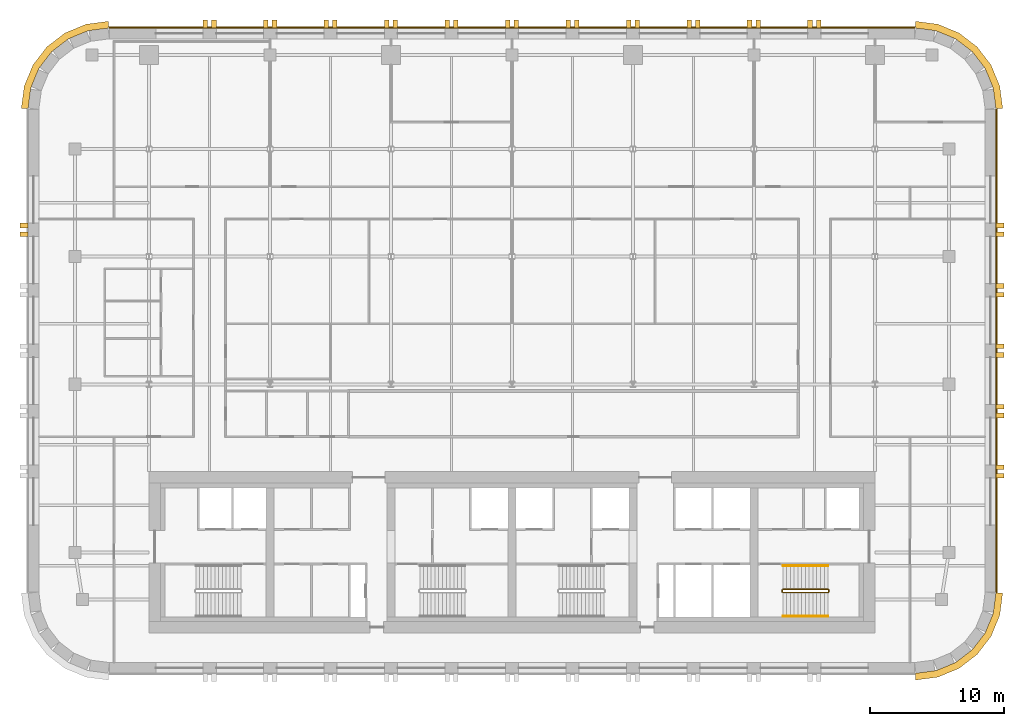
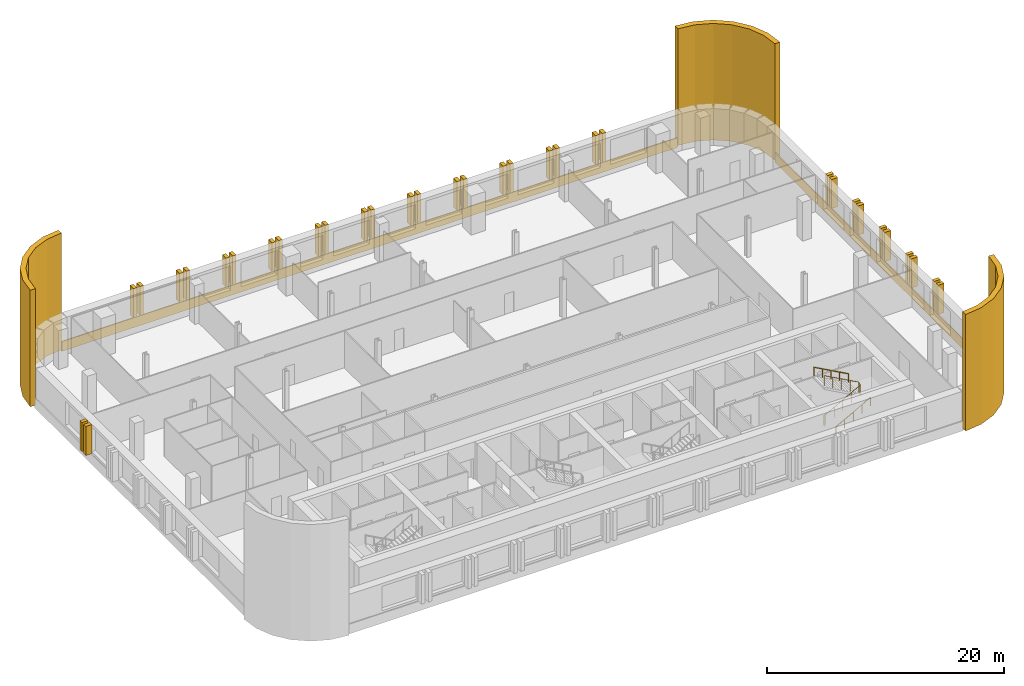
# One storey, part 9 of 9: 39 coverings, 3 railings.
"""IFC4 building model written with IfcOpenShell, lengths in metres."""

from ifc_helpers import new_model, si_unit, direction, frame, origin, origin_2d, place, context, subcontext, project, spatial, polyline, circle, outline, extrude, material, layer, layer_set, type_object, element, save


model = new_model("IFC4")

# Units and contexts
model_context = context("Model", 3, precision=1e-05, world=origin(), true_north=direction((0.0, 1.0)))
body_context = subcontext(model_context, "Body", "Model", "MODEL_VIEW")
ifc_project = project(units=[si_unit("LENGTHUNIT", "METRE"), si_unit("AREAUNIT", "SQUARE_METRE"), si_unit("VOLUMEUNIT", "CUBIC_METRE"), si_unit("PLANEANGLEUNIT", "RADIAN"), si_unit("MASSUNIT", "GRAM", prefix="KILO")], contexts=[model_context])

# Site, building, storey
site_placement = place(None, origin())
site = spatial("IfcSite", under=ifc_project, at=site_placement, CompositionType="ELEMENT")
building_placement = place(site_placement, origin())
building = spatial("IfcBuilding", under=site, at=building_placement, Name="Zellij Exchange Tower", CompositionType="ELEMENT")
storey_placement = place(building_placement, frame((0.0, 0.0, 176.5)))
storey = spatial("IfcBuildingStorey", under=building, at=storey_placement, Name="L40", CompositionType="ELEMENT", Elevation=176.5)

# Railings
ifc_material_1 = material(Name="Stainless steel", Category="steel")
railing_type_1 = type_object("IfcRailingType", Name="CORE-RG stair guard", PredefinedType="GUARDRAIL", material=ifc_material_1)
railing_1_placement = place(storey_placement, frame((20.10009765625, -10.949951171875, 0.0)))
element("IfcRailing", 1, at=railing_1_placement, inside=storey, type_object=railing_type_1, Name="ST4 stair guard L40", PredefinedType="GUARDRAIL", context=body_context, shape_type="SweptSolid", body=[
    extrude(circle(Radius=0.02392578125, at=origin_2d()), frame((0.0, 0.0, 1.076171875), z_axis=(0.0, 1.0, 0.0), x_axis=(-1.0, 0.0, 0.0)), (0.0, 0.0, 1.0), 0.14990234375),
    extrude(circle(Radius=0.02392578125, at=origin_2d()), frame((0.0, 0.14990234375, 1.076171875), z_axis=(0.193691321961, -0.777613689637, 0.598164376644), x_axis=(0.970351222016, 0.241699205484, 0.0)), (0.0, 0.0, 1.0), 0.257080078125),
    extrude(circle(Radius=0.02392578125, at=origin_2d()), frame((0.0498046875, -0.050048828125, 1.22998046875), z_axis=(0.876421534553, 0.0, 0.481544695509), x_axis=(0.0, 1.0, 0.0)), (0.0, 0.0, 1.0), 3.833984375),
    extrude(circle(Radius=0.02392578125, at=origin_2d()), frame((3.409912109375, -0.050048828125, 3.076171875), z_axis=(0.707106781187, 0.707106781187, 0.0), x_axis=(-0.707106781187, 0.707106781187, 0.0)), (0.0, 0.0, 1.0), 0.07080078125),
    extrude(circle(Radius=0.02392578125, at=origin_2d()), frame((3.4599609375, 0.0, 3.076171875), z_axis=(0.0, 1.0, 0.0), x_axis=(-1.0, 0.0, 0.0)), (0.0, 0.0, 1.0), 0.14990234375),
    extrude(circle(Radius=0.02392578125, at=origin_2d()), frame((3.4599609375, 0.14990234375, 3.076171875), z_axis=(-0.295599637079, 0.295599637079, 0.908428152975), x_axis=(-0.707106781187, -0.707106781187, 0.0)), (0.0, 0.0, 1.0), 0.16943359375),
    extrude(circle(Radius=0.02392578125, at=origin_2d()), frame((3.409912109375, 0.199951171875, 3.22998046875), z_axis=(-0.876421534553, 0.0, 0.481544695509), x_axis=(0.0, -1.0, 0.0)), (0.0, 0.0, 1.0), 3.833984375),
    extrude(circle(Radius=0.02099609375, at=origin_2d()), origin(), (0.0, 0.0, 1.0), 1.052001953125),
    extrude(circle(Radius=0.02099609375, at=origin_2d()), frame((0.0, 0.14990234375, 0.0)), (0.0, 0.0, 1.0), 1.052001953125),
    extrude(circle(Radius=0.02099609375, at=origin_2d()), frame((0.0498046875, -0.050048828125, 0.15380859375)), (0.0, 0.0, 1.0), 1.052001953125),
    extrude(circle(Radius=0.02099609375, at=origin_2d()), frame((0.889892578125, -0.050048828125, 0.615234375)), (0.0, 0.0, 1.0), 1.052001953125),
    extrude(circle(Radius=0.02099609375, at=origin_2d()), frame((1.72998046875, -0.050048828125, 1.076904296875)), (0.0, 0.0, 1.0), 1.052001953125),
    extrude(circle(Radius=0.02099609375, at=origin_2d()), frame((2.56982421875, -0.050048828125, 1.53857421875)), (0.0, 0.0, 1.0), 1.052001953125),
    extrude(circle(Radius=0.02099609375, at=origin_2d()), frame((3.409912109375, -0.050048828125, 2.0)), (0.0, 0.0, 1.0), 1.052001953125),
    extrude(circle(Radius=0.02099609375, at=origin_2d()), frame((3.4599609375, 0.0, 2.0)), (0.0, 0.0, 1.0), 1.052001953125),
    extrude(circle(Radius=0.02099609375, at=origin_2d()), frame((3.4599609375, 0.14990234375, 2.0)), (0.0, 0.0, 1.0), 1.052001953125),
    extrude(circle(Radius=0.02099609375, at=origin_2d()), frame((3.409912109375, 0.199951171875, 2.15380859375)), (0.0, 0.0, 1.0), 1.052001953125),
    extrude(circle(Radius=0.02099609375, at=origin_2d()), frame((2.56982421875, 0.199951171875, 2.615234375)), (0.0, 0.0, 1.0), 1.052001953125),
    extrude(circle(Radius=0.02099609375, at=origin_2d()), frame((1.72998046875, 0.199951171875, 3.076904296875)), (0.0, 0.0, 1.0), 1.052001953125),
    extrude(circle(Radius=0.02099609375, at=origin_2d()), frame((0.889892578125, 0.199951171875, 3.53857421875)), (0.0, 0.0, 1.0), 1.052001953125),
    extrude(circle(Radius=0.02099609375, at=origin_2d()), frame((0.0498046875, 0.199951171875, 4.0)), (0.0, 0.0, 1.0), 1.052001953125),
])
railing_type_2 = type_object("IfcRailingType", Name="CORE-RH stair handrail", PredefinedType="HANDRAIL", material=ifc_material_1)
railing_2_placement = place(storey_placement, frame((20.14990234375, -12.75, 0.15380859375)))
element("IfcRailing", 2, at=railing_2_placement, inside=storey, type_object=railing_type_2, Name="ST4 stair handrail L40", PredefinedType="HANDRAIL", context=body_context, shape_type="SweptSolid", body=[
    extrude(circle(Radius=0.02392578125, at=origin_2d()), frame((0.0, 0.0, 0.8759765625), z_axis=(0.876421534553, 0.0, 0.481544695509), x_axis=(0.0, 1.0, 0.0)), (0.0, 0.0, 1.0), 3.833984375),
    extrude(circle(Radius=0.02099609375, at=origin_2d()), origin(), (0.0, 0.0, 1.0), 0.851806640625),
    extrude(circle(Radius=0.02099609375, at=origin_2d()), frame((0.840087890625, 0.0, 0.46142578125)), (0.0, 0.0, 1.0), 0.851806640625),
    extrude(circle(Radius=0.02099609375, at=origin_2d()), frame((1.68017578125, 0.0, 0.923095703125)), (0.0, 0.0, 1.0), 0.851806640625),
    extrude(circle(Radius=0.02099609375, at=origin_2d()), frame((2.52001953125, 0.0, 1.384765625)), (0.0, 0.0, 1.0), 0.851806640625),
    extrude(circle(Radius=0.02099609375, at=origin_2d()), frame((3.360107421875, 0.0, 1.84619140625)), (0.0, 0.0, 1.0), 0.851806640625),
])
railing_3_placement = place(storey_placement, frame((23.510009765625, -9.0, 2.15380859375)))
element("IfcRailing", 3, at=railing_3_placement, inside=storey, type_object=railing_type_2, Name="ST4 stair handrail L40", PredefinedType="HANDRAIL", context=body_context, shape_type="SweptSolid", body=[
    extrude(circle(Radius=0.02392578125, at=origin_2d()), frame((0.0, 0.0, 0.8759765625), z_axis=(-0.876421534553, 0.0, 0.481544695509), x_axis=(0.0, -1.0, 0.0)), (0.0, 0.0, 1.0), 3.833984375),
    extrude(circle(Radius=0.02099609375, at=origin_2d()), origin(), (0.0, 0.0, 1.0), 0.851806640625),
    extrude(circle(Radius=0.02099609375, at=origin_2d()), frame((-0.840087890625, 0.0, 0.46142578125)), (0.0, 0.0, 1.0), 0.851806640625),
    extrude(circle(Radius=0.02099609375, at=origin_2d()), frame((-1.68017578125, 0.0, 0.923095703125)), (0.0, 0.0, 1.0), 0.851806640625),
    extrude(circle(Radius=0.02099609375, at=origin_2d()), frame((-2.52001953125, 0.0, 1.384765625)), (0.0, 0.0, 1.0), 0.851806640625),
    extrude(circle(Radius=0.02099609375, at=origin_2d()), frame((-3.360107421875, 0.0, 1.84619140625)), (0.0, 0.0, 1.0), 0.851806640625),
])

# Coverings
ifc_material_2 = material(Name="Limestone cladding", Category="masonry")
ifc_layer_1 = layer(ifc_material_2, 0.5)
ifc_layer_set_1 = layer_set([ifc_layer_1], Name="Limestone cladding")
covering_type_1 = type_object("IfcCoveringType", Name="ENV-CV12 Stone corner pier 500", PredefinedType="CLADDING", material=ifc_layer_set_1)
covering_1_placement = place(storey_placement, origin())
element("IfcCovering", 4, at=covering_1_placement, inside=storey, type_object=covering_type_1, Name="Stone corner pier", PredefinedType="CLADDING", context=body_context, shape_type="SweptSolid", body=[
    extrude(outline(polyline([(30.0, -17.0), (31.552978515625, -16.795654296875), (33.0, -16.1962890625), (34.24267578125, -15.24267578125), (35.1962890625, -14.0), (35.795654296875, -12.552978515625), (36.0, -11.0), (36.5, -11.03271484375), (36.28271484375, -12.683349609375), (35.6328125, -14.252197265625), (34.59912109375, -15.59912109375), (33.252197265625, -16.6328125), (31.683349609375, -17.28271484375), (30.03271484375, -17.5), (30.0, -17.0)])), origin(), (0.0, 0.0, 1.0), 12.0),
])
covering_2_placement = place(storey_placement, origin())
element("IfcCovering", 5, at=covering_2_placement, inside=storey, type_object=covering_type_1, Name="Stone corner pier", PredefinedType="CLADDING", context=body_context, shape_type="SweptSolid", body=[
    extrude(outline(polyline([(36.0, 25.0), (35.795654296875, 26.552978515625), (35.1962890625, 28.0), (34.24267578125, 29.24267578125), (33.0, 30.1962890625), (31.552978515625, 30.795654296875), (30.0, 31.0), (30.03271484375, 31.5), (31.683349609375, 31.28271484375), (33.252197265625, 30.6328125), (34.59912109375, 29.59912109375), (35.6328125, 28.252197265625), (36.28271484375, 26.683349609375), (36.5, 25.03271484375), (36.0, 25.0)])), origin(), (0.0, 0.0, 1.0), 12.0),
])
covering_3_placement = place(storey_placement, origin())
element("IfcCovering", 6, at=covering_3_placement, inside=storey, type_object=covering_type_1, Name="Stone corner pier", PredefinedType="CLADDING", context=body_context, shape_type="SweptSolid", body=[
    extrude(outline(polyline([(-30.0, 31.0), (-31.552978515625, 30.795654296875), (-33.0, 30.1962890625), (-34.24267578125, 29.24267578125), (-35.1962890625, 28.0), (-35.795654296875, 26.552978515625), (-36.0, 25.0), (-36.5, 25.03271484375), (-36.28271484375, 26.683349609375), (-35.6328125, 28.252197265625), (-34.59912109375, 29.59912109375), (-33.252197265625, 30.6328125), (-31.683349609375, 31.28271484375), (-30.03271484375, 31.5), (-30.0, 31.0)])), origin(), (0.0, 0.0, 1.0), 12.0),
])
covering_type_2 = type_object("IfcCoveringType", Name="ENV-CV3 Stone pier 350x600", PredefinedType="CLADDING", material=ifc_material_2)
covering_4_placement = place(storey_placement, frame((0.0, 0.0, 0.800048828125)))
element("IfcCovering", 7, at=covering_4_placement, inside=storey, type_object=covering_type_2, Name="Stone pier", PredefinedType="CLADDING", context=body_context, shape_type="SweptSolid", body=[
    extrude(outline(polyline([(36.0, -2.48681640625), (36.0, -2.136962890625), (36.60009765625, -2.136962890625), (36.60009765625, -2.48681640625), (36.0, -2.48681640625)])), origin(), (0.0, 0.0, 1.0), 3.0),
])
covering_5_placement = place(storey_placement, frame((0.0, 0.0, 0.800048828125)))
element("IfcCovering", 8, at=covering_5_placement, inside=storey, type_object=covering_type_2, Name="Stone pier", PredefinedType="CLADDING", context=body_context, shape_type="SweptSolid", body=[
    extrude(outline(polyline([(36.0, -1.8369140625), (36.0, -1.48681640625), (36.60009765625, -1.48681640625), (36.60009765625, -1.8369140625), (36.0, -1.8369140625)])), origin(), (0.0, 0.0, 1.0), 3.0),
])
covering_6_placement = place(storey_placement, frame((0.0, 0.0, 0.800048828125)))
element("IfcCovering", 9, at=covering_6_placement, inside=storey, type_object=covering_type_2, Name="Stone pier", PredefinedType="CLADDING", context=body_context, shape_type="SweptSolid", body=[
    extrude(outline(polyline([(36.0, 2.006591796875), (36.0, 2.3564453125), (36.60009765625, 2.3564453125), (36.60009765625, 2.006591796875), (36.0, 2.006591796875)])), origin(), (0.0, 0.0, 1.0), 3.0),
])
covering_7_placement = place(storey_placement, frame((0.0, 0.0, 0.800048828125)))
element("IfcCovering", 10, at=covering_7_placement, inside=storey, type_object=covering_type_2, Name="Stone pier", PredefinedType="CLADDING", context=body_context, shape_type="SweptSolid", body=[
    extrude(outline(polyline([(36.0, 2.656494140625), (36.0, 3.006591796875), (36.60009765625, 3.006591796875), (36.60009765625, 2.656494140625), (36.0, 2.656494140625)])), origin(), (0.0, 0.0, 1.0), 3.0),
])
covering_8_placement = place(storey_placement, frame((0.0, 0.0, 0.800048828125)))
element("IfcCovering", 11, at=covering_8_placement, inside=storey, type_object=covering_type_2, Name="Stone pier", PredefinedType="CLADDING", context=body_context, shape_type="SweptSolid", body=[
    extrude(outline(polyline([(36.0, 6.5), (36.0, 6.85009765625), (36.60009765625, 6.85009765625), (36.60009765625, 6.5), (36.0, 6.5)])), origin(), (0.0, 0.0, 1.0), 3.0),
])
covering_9_placement = place(storey_placement, frame((0.0, 0.0, 0.800048828125)))
element("IfcCovering", 12, at=covering_9_placement, inside=storey, type_object=covering_type_2, Name="Stone pier", PredefinedType="CLADDING", context=body_context, shape_type="SweptSolid", body=[
    extrude(outline(polyline([(36.0, 7.14990234375), (36.0, 7.5), (36.60009765625, 7.5), (36.60009765625, 7.14990234375), (36.0, 7.14990234375)])), origin(), (0.0, 0.0, 1.0), 3.0),
])
covering_10_placement = place(storey_placement, frame((0.0, 0.0, 0.800048828125)))
element("IfcCovering", 13, at=covering_10_placement, inside=storey, type_object=covering_type_2, Name="Stone pier", PredefinedType="CLADDING", context=body_context, shape_type="SweptSolid", body=[
    extrude(outline(polyline([(36.0, 10.993408203125), (36.0, 11.343505859375), (36.60009765625, 11.343505859375), (36.60009765625, 10.993408203125), (36.0, 10.993408203125)])), origin(), (0.0, 0.0, 1.0), 3.0),
])
covering_11_placement = place(storey_placement, frame((0.0, 0.0, 0.800048828125)))
element("IfcCovering", 14, at=covering_11_placement, inside=storey, type_object=covering_type_2, Name="Stone pier", PredefinedType="CLADDING", context=body_context, shape_type="SweptSolid", body=[
    extrude(outline(polyline([(36.0, 11.643310546875), (36.0, 11.993408203125), (36.60009765625, 11.993408203125), (36.60009765625, 11.643310546875), (36.0, 11.643310546875)])), origin(), (0.0, 0.0, 1.0), 3.0),
])
covering_12_placement = place(storey_placement, frame((0.0, 0.0, 0.800048828125)))
element("IfcCovering", 15, at=covering_12_placement, inside=storey, type_object=covering_type_2, Name="Stone pier", PredefinedType="CLADDING", context=body_context, shape_type="SweptSolid", body=[
    extrude(outline(polyline([(36.0, 15.48681640625), (36.0, 15.8369140625), (36.60009765625, 15.8369140625), (36.60009765625, 15.48681640625), (36.0, 15.48681640625)])), origin(), (0.0, 0.0, 1.0), 3.0),
])
covering_13_placement = place(storey_placement, frame((0.0, 0.0, 0.800048828125)))
element("IfcCovering", 16, at=covering_13_placement, inside=storey, type_object=covering_type_2, Name="Stone pier", PredefinedType="CLADDING", context=body_context, shape_type="SweptSolid", body=[
    extrude(outline(polyline([(36.0, 16.136962890625), (36.0, 16.48681640625), (36.60009765625, 16.48681640625), (36.60009765625, 16.136962890625), (36.0, 16.136962890625)])), origin(), (0.0, 0.0, 1.0), 3.0),
])
covering_14_placement = place(storey_placement, frame((0.0, 0.0, 0.800048828125)))
element("IfcCovering", 17, at=covering_14_placement, inside=storey, type_object=covering_type_2, Name="Stone pier", PredefinedType="CLADDING", context=body_context, shape_type="SweptSolid", body=[
    extrude(outline(polyline([(23.0, 31.0), (22.64990234375, 31.0), (22.64990234375, 31.60009765625), (23.0, 31.60009765625), (23.0, 31.0)])), origin(), (0.0, 0.0, 1.0), 3.0),
])
covering_15_placement = place(storey_placement, frame((0.0, 0.0, 0.800048828125)))
element("IfcCovering", 18, at=covering_15_placement, inside=storey, type_object=covering_type_2, Name="Stone pier", PredefinedType="CLADDING", context=body_context, shape_type="SweptSolid", body=[
    extrude(outline(polyline([(22.35009765625, 31.0), (22.0, 31.0), (22.0, 31.60009765625), (22.35009765625, 31.60009765625), (22.35009765625, 31.0)])), origin(), (0.0, 0.0, 1.0), 3.0),
])
covering_16_placement = place(storey_placement, frame((0.0, 0.0, 0.800048828125)))
element("IfcCovering", 19, at=covering_16_placement, inside=storey, type_object=covering_type_2, Name="Stone pier", PredefinedType="CLADDING", context=body_context, shape_type="SweptSolid", body=[
    extrude(outline(polyline([(18.5, 31.0), (18.14990234375, 31.0), (18.14990234375, 31.60009765625), (18.5, 31.60009765625), (18.5, 31.0)])), origin(), (0.0, 0.0, 1.0), 3.0),
])
covering_17_placement = place(storey_placement, frame((0.0, 0.0, 0.800048828125)))
element("IfcCovering", 20, at=covering_17_placement, inside=storey, type_object=covering_type_2, Name="Stone pier", PredefinedType="CLADDING", context=body_context, shape_type="SweptSolid", body=[
    extrude(outline(polyline([(17.85009765625, 31.0), (17.5, 31.0), (17.5, 31.60009765625), (17.85009765625, 31.60009765625), (17.85009765625, 31.0)])), origin(), (0.0, 0.0, 1.0), 3.0),
])
covering_18_placement = place(storey_placement, frame((0.0, 0.0, 0.800048828125)))
element("IfcCovering", 21, at=covering_18_placement, inside=storey, type_object=covering_type_2, Name="Stone pier", PredefinedType="CLADDING", context=body_context, shape_type="SweptSolid", body=[
    extrude(outline(polyline([(14.0, 31.0), (13.64990234375, 31.0), (13.64990234375, 31.60009765625), (14.0, 31.60009765625), (14.0, 31.0)])), origin(), (0.0, 0.0, 1.0), 3.0),
])
covering_19_placement = place(storey_placement, frame((0.0, 0.0, 0.800048828125)))
element("IfcCovering", 22, at=covering_19_placement, inside=storey, type_object=covering_type_2, Name="Stone pier", PredefinedType="CLADDING", context=body_context, shape_type="SweptSolid", body=[
    extrude(outline(polyline([(13.35009765625, 31.0), (13.0, 31.0), (13.0, 31.60009765625), (13.35009765625, 31.60009765625), (13.35009765625, 31.0)])), origin(), (0.0, 0.0, 1.0), 3.0),
])
covering_20_placement = place(storey_placement, frame((0.0, 0.0, 0.800048828125)))
element("IfcCovering", 23, at=covering_20_placement, inside=storey, type_object=covering_type_2, Name="Stone pier", PredefinedType="CLADDING", context=body_context, shape_type="SweptSolid", body=[
    extrude(outline(polyline([(9.5, 31.0), (9.14990234375, 31.0), (9.14990234375, 31.60009765625), (9.5, 31.60009765625), (9.5, 31.0)])), origin(), (0.0, 0.0, 1.0), 3.0),
])
covering_21_placement = place(storey_placement, frame((0.0, 0.0, 0.800048828125)))
element("IfcCovering", 24, at=covering_21_placement, inside=storey, type_object=covering_type_2, Name="Stone pier", PredefinedType="CLADDING", context=body_context, shape_type="SweptSolid", body=[
    extrude(outline(polyline([(8.85009765625, 31.0), (8.5, 31.0), (8.5, 31.60009765625), (8.85009765625, 31.60009765625), (8.85009765625, 31.0)])), origin(), (0.0, 0.0, 1.0), 3.0),
])
covering_22_placement = place(storey_placement, frame((0.0, 0.0, 0.800048828125)))
element("IfcCovering", 25, at=covering_22_placement, inside=storey, type_object=covering_type_2, Name="Stone pier", PredefinedType="CLADDING", context=body_context, shape_type="SweptSolid", body=[
    extrude(outline(polyline([(5.0, 31.0), (4.64990234375, 31.0), (4.64990234375, 31.60009765625), (5.0, 31.60009765625), (5.0, 31.0)])), origin(), (0.0, 0.0, 1.0), 3.0),
])
covering_23_placement = place(storey_placement, frame((0.0, 0.0, 0.800048828125)))
element("IfcCovering", 26, at=covering_23_placement, inside=storey, type_object=covering_type_2, Name="Stone pier", PredefinedType="CLADDING", context=body_context, shape_type="SweptSolid", body=[
    extrude(outline(polyline([(4.35009765625, 31.0), (4.0, 31.0), (4.0, 31.60009765625), (4.35009765625, 31.60009765625), (4.35009765625, 31.0)])), origin(), (0.0, 0.0, 1.0), 3.0),
])
covering_24_placement = place(storey_placement, frame((0.0, 0.0, 0.800048828125)))
element("IfcCovering", 27, at=covering_24_placement, inside=storey, type_object=covering_type_2, Name="Stone pier", PredefinedType="CLADDING", context=body_context, shape_type="SweptSolid", body=[
    extrude(outline(polyline([(0.5, 31.0), (0.14990234375, 31.0), (0.14990234375, 31.60009765625), (0.5, 31.60009765625), (0.5, 31.0)])), origin(), (0.0, 0.0, 1.0), 3.0),
])
covering_25_placement = place(storey_placement, frame((0.0, 0.0, 0.800048828125)))
element("IfcCovering", 28, at=covering_25_placement, inside=storey, type_object=covering_type_2, Name="Stone pier", PredefinedType="CLADDING", context=body_context, shape_type="SweptSolid", body=[
    extrude(outline(polyline([(-0.14990234375, 31.0), (-0.5, 31.0), (-0.5, 31.60009765625), (-0.14990234375, 31.60009765625), (-0.14990234375, 31.0)])), origin(), (0.0, 0.0, 1.0), 3.0),
])
covering_26_placement = place(storey_placement, frame((0.0, 0.0, 0.800048828125)))
element("IfcCovering", 29, at=covering_26_placement, inside=storey, type_object=covering_type_2, Name="Stone pier", PredefinedType="CLADDING", context=body_context, shape_type="SweptSolid", body=[
    extrude(outline(polyline([(-4.0, 31.0), (-4.35009765625, 31.0), (-4.35009765625, 31.60009765625), (-4.0, 31.60009765625), (-4.0, 31.0)])), origin(), (0.0, 0.0, 1.0), 3.0),
])
covering_27_placement = place(storey_placement, frame((0.0, 0.0, 0.800048828125)))
element("IfcCovering", 30, at=covering_27_placement, inside=storey, type_object=covering_type_2, Name="Stone pier", PredefinedType="CLADDING", context=body_context, shape_type="SweptSolid", body=[
    extrude(outline(polyline([(-4.64990234375, 31.0), (-5.0, 31.0), (-5.0, 31.60009765625), (-4.64990234375, 31.60009765625), (-4.64990234375, 31.0)])), origin(), (0.0, 0.0, 1.0), 3.0),
])
covering_28_placement = place(storey_placement, frame((0.0, 0.0, 0.800048828125)))
element("IfcCovering", 31, at=covering_28_placement, inside=storey, type_object=covering_type_2, Name="Stone pier", PredefinedType="CLADDING", context=body_context, shape_type="SweptSolid", body=[
    extrude(outline(polyline([(-8.5, 31.0), (-8.85009765625, 31.0), (-8.85009765625, 31.60009765625), (-8.5, 31.60009765625), (-8.5, 31.0)])), origin(), (0.0, 0.0, 1.0), 3.0),
])
covering_29_placement = place(storey_placement, frame((0.0, 0.0, 0.800048828125)))
element("IfcCovering", 32, at=covering_29_placement, inside=storey, type_object=covering_type_2, Name="Stone pier", PredefinedType="CLADDING", context=body_context, shape_type="SweptSolid", body=[
    extrude(outline(polyline([(-9.14990234375, 31.0), (-9.5, 31.0), (-9.5, 31.60009765625), (-9.14990234375, 31.60009765625), (-9.14990234375, 31.0)])), origin(), (0.0, 0.0, 1.0), 3.0),
])
covering_30_placement = place(storey_placement, frame((0.0, 0.0, 0.800048828125)))
element("IfcCovering", 33, at=covering_30_placement, inside=storey, type_object=covering_type_2, Name="Stone pier", PredefinedType="CLADDING", context=body_context, shape_type="SweptSolid", body=[
    extrude(outline(polyline([(-13.0, 31.0), (-13.35009765625, 31.0), (-13.35009765625, 31.60009765625), (-13.0, 31.60009765625), (-13.0, 31.0)])), origin(), (0.0, 0.0, 1.0), 3.0),
])
covering_31_placement = place(storey_placement, frame((0.0, 0.0, 0.800048828125)))
element("IfcCovering", 34, at=covering_31_placement, inside=storey, type_object=covering_type_2, Name="Stone pier", PredefinedType="CLADDING", context=body_context, shape_type="SweptSolid", body=[
    extrude(outline(polyline([(-13.64990234375, 31.0), (-14.0, 31.0), (-14.0, 31.60009765625), (-13.64990234375, 31.60009765625), (-13.64990234375, 31.0)])), origin(), (0.0, 0.0, 1.0), 3.0),
])
covering_32_placement = place(storey_placement, frame((0.0, 0.0, 0.800048828125)))
element("IfcCovering", 35, at=covering_32_placement, inside=storey, type_object=covering_type_2, Name="Stone pier", PredefinedType="CLADDING", context=body_context, shape_type="SweptSolid", body=[
    extrude(outline(polyline([(-17.5, 31.0), (-17.85009765625, 31.0), (-17.85009765625, 31.60009765625), (-17.5, 31.60009765625), (-17.5, 31.0)])), origin(), (0.0, 0.0, 1.0), 3.0),
])
covering_33_placement = place(storey_placement, frame((0.0, 0.0, 0.800048828125)))
element("IfcCovering", 36, at=covering_33_placement, inside=storey, type_object=covering_type_2, Name="Stone pier", PredefinedType="CLADDING", context=body_context, shape_type="SweptSolid", body=[
    extrude(outline(polyline([(-18.14990234375, 31.0), (-18.5, 31.0), (-18.5, 31.60009765625), (-18.14990234375, 31.60009765625), (-18.14990234375, 31.0)])), origin(), (0.0, 0.0, 1.0), 3.0),
])
covering_34_placement = place(storey_placement, frame((0.0, 0.0, 0.800048828125)))
element("IfcCovering", 37, at=covering_34_placement, inside=storey, type_object=covering_type_2, Name="Stone pier", PredefinedType="CLADDING", context=body_context, shape_type="SweptSolid", body=[
    extrude(outline(polyline([(-22.0, 31.0), (-22.35009765625, 31.0), (-22.35009765625, 31.60009765625), (-22.0, 31.60009765625), (-22.0, 31.0)])), origin(), (0.0, 0.0, 1.0), 3.0),
])
covering_35_placement = place(storey_placement, frame((0.0, 0.0, 0.800048828125)))
element("IfcCovering", 38, at=covering_35_placement, inside=storey, type_object=covering_type_2, Name="Stone pier", PredefinedType="CLADDING", context=body_context, shape_type="SweptSolid", body=[
    extrude(outline(polyline([(-22.64990234375, 31.0), (-23.0, 31.0), (-23.0, 31.60009765625), (-22.64990234375, 31.60009765625), (-22.64990234375, 31.0)])), origin(), (0.0, 0.0, 1.0), 3.0),
])
covering_36_placement = place(storey_placement, frame((0.0, 0.0, 0.800048828125)))
element("IfcCovering", 39, at=covering_36_placement, inside=storey, type_object=covering_type_2, Name="Stone pier", PredefinedType="CLADDING", context=body_context, shape_type="SweptSolid", body=[
    extrude(outline(polyline([(-36.0, 16.48681640625), (-36.0, 16.136962890625), (-36.60009765625, 16.136962890625), (-36.60009765625, 16.48681640625), (-36.0, 16.48681640625)])), origin(), (0.0, 0.0, 1.0), 3.0),
])
covering_37_placement = place(storey_placement, frame((0.0, 0.0, 0.800048828125)))
element("IfcCovering", 40, at=covering_37_placement, inside=storey, type_object=covering_type_2, Name="Stone pier", PredefinedType="CLADDING", context=body_context, shape_type="SweptSolid", body=[
    extrude(outline(polyline([(-36.0, 15.8369140625), (-36.0, 15.48681640625), (-36.60009765625, 15.48681640625), (-36.60009765625, 15.8369140625), (-36.0, 15.8369140625)])), origin(), (0.0, 0.0, 1.0), 3.0),
])
ifc_layer_2 = layer(ifc_material_2, 0.10009765625)
ifc_layer_set_2 = layer_set([ifc_layer_2], Name="Limestone cladding")
covering_type_3 = type_object("IfcCoveringType", Name="ENV-CV9 Stone spandrel band 100", PredefinedType="CLADDING", material=ifc_layer_set_2)
covering_38_placement = place(storey_placement, frame((0.0, 0.0, -0.199951171875)))
element("IfcCovering", 41, at=covering_38_placement, inside=storey, type_object=covering_type_3, Name="Stone spandrel band", PredefinedType="CLADDING", context=body_context, shape_type="SweptSolid", body=[
    extrude(outline(polyline([(36.0, -10.973876953125), (36.0, 24.973876953125), (36.10009765625, 24.980224609375), (36.10009765625, -10.980224609375), (36.0, -10.973876953125)])), origin(), (0.0, 0.0, 1.0), 1.0),
])
covering_39_placement = place(storey_placement, frame((0.0, 0.0, -0.199951171875)))
element("IfcCovering", 42, at=covering_39_placement, inside=storey, type_object=covering_type_3, Name="Stone spandrel band", PredefinedType="CLADDING", context=body_context, shape_type="SweptSolid", body=[
    extrude(outline(polyline([(29.973876953125, 31.0), (-29.973876953125, 31.0), (-29.980224609375, 31.10009765625), (29.980224609375, 31.10009765625), (29.973876953125, 31.0)])), origin(), (0.0, 0.0, 1.0), 1.0),
])

save(model, "model.ifc")
